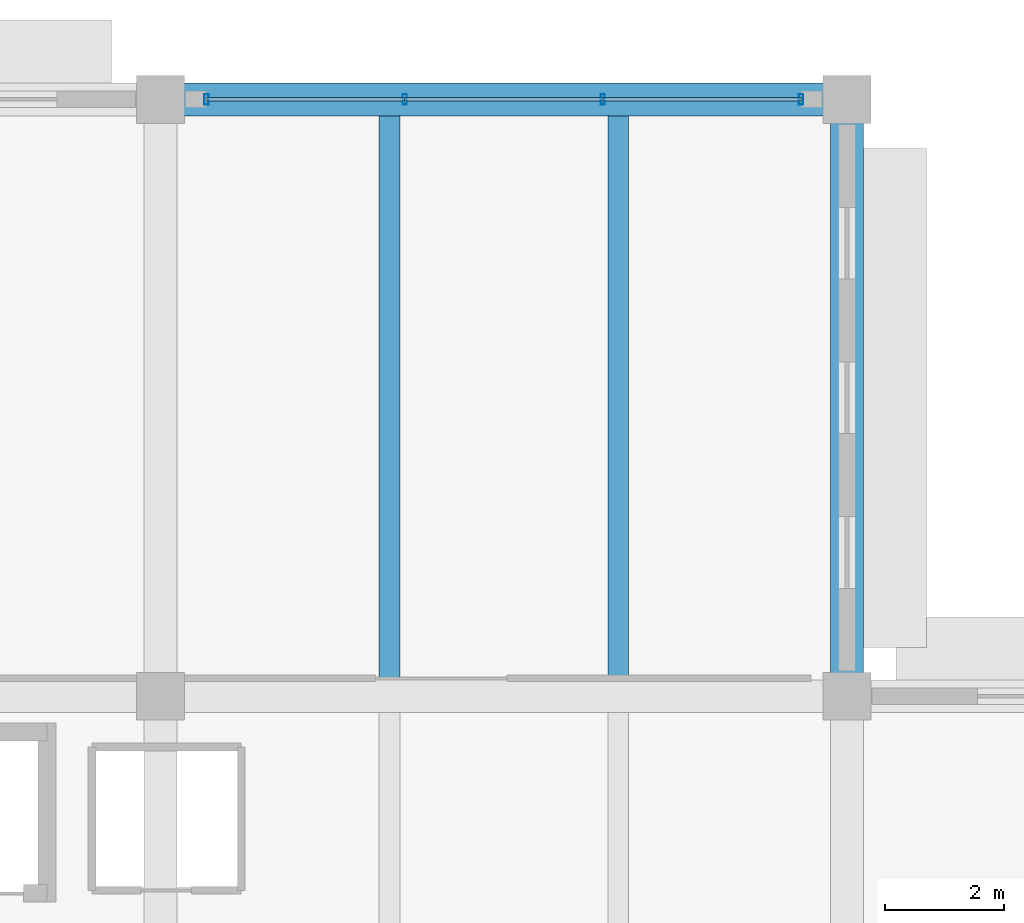
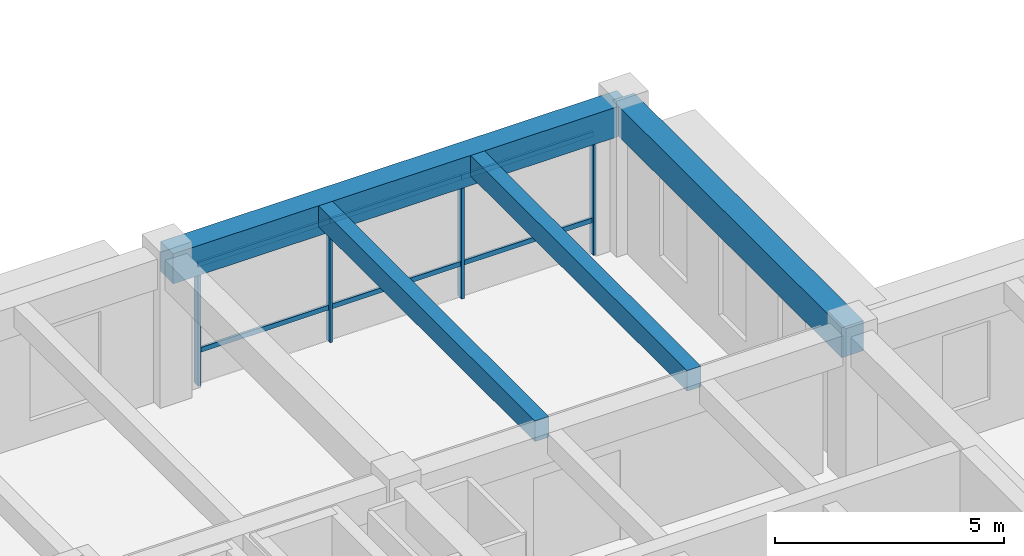
# One storey, part 8 of 33: 10 members, 4 beams, 1 element without a shape of its own.
"""IFC4 building model written with IfcOpenShell, lengths in metres."""

from ifc_helpers import new_model, si_unit, direction, frame, origin, origin_2d, place, context, subcontext, project, spatial, rectangle, hollow_rectangle, extrude, material, material_profile, profile_set, type_object, element, aggregate, save


model = new_model("IFC4")

# Units and contexts
model_context = context("Model", 3, precision=1e-05, world=origin(), true_north=direction((0.0, 1.0)))
body_context = subcontext(model_context, "Body", "Model", "MODEL_VIEW")
ifc_project = project(units=[si_unit("LENGTHUNIT", "METRE"), si_unit("AREAUNIT", "SQUARE_METRE"), si_unit("VOLUMEUNIT", "CUBIC_METRE"), si_unit("PLANEANGLEUNIT", "RADIAN"), si_unit("MASSUNIT", "GRAM", prefix="KILO")], contexts=[model_context])

# Site, building, storey
site_placement = place(None, origin())
site = spatial("IfcSite", under=ifc_project, at=site_placement, CompositionType="ELEMENT")
building_placement = place(site_placement, origin())
building = spatial("IfcBuilding", under=site, at=building_placement, Name="Ologun Quay Terminus", CompositionType="ELEMENT")
storey_placement = place(building_placement, frame((0.0, 0.0, 18.300048828125)))
storey = spatial("IfcBuildingStorey", under=building, at=storey_placement, Name="L04", CompositionType="ELEMENT", Elevation=18.300048828125)

# Beams
ifc_material_1 = material(Name="Concrete C40/50", Category="concrete")
ifc_material_profile_1 = material_profile(ifc_material_1, rectangle(XDim=0.550048828125, YDim=0.800048828125, at=origin_2d()), Name="RC 550x800")
ifc_profile_set_1 = profile_set([ifc_material_profile_1], Name="Concrete C40/50")
beam_type_1 = type_object("IfcBeamType", Name="Courtyard Wing Primary Girder 550x800", PredefinedType="BEAM", material=ifc_profile_set_1)
beam_1_placement = place(storey_placement, frame((34.5, 114.800048828125, 3.5), z_axis=(1.0, 0.0, 0.0), x_axis=(0.0, 1.0, 0.0)))
element("IfcBeam", 1, at=beam_1_placement, inside=storey, type_object=beam_type_1, Name="B4 Beam 4/K L04", PredefinedType="BEAM", context=body_context, shape_type="SweptSolid", body=[
    extrude(rectangle(XDim=0.550048828125, YDim=0.800048828125, at=origin_2d()), origin(), (0.0, 0.0, 1.0), 11.5),
])
beam_2_placement = place(storey_placement, frame((46.0, 104.800048828125, 3.5), z_axis=(0.0, 1.0, 0.0), x_axis=(-1.0, 0.0, 0.0)))
element("IfcBeam", 2, at=beam_2_placement, inside=storey, type_object=beam_type_1, Name="B4 Beam 5/J L04", PredefinedType="BEAM", context=body_context, shape_type="SweptSolid", body=[
    extrude(rectangle(XDim=0.550048828125, YDim=0.800048828125, at=origin_2d()), origin(), (0.0, 0.0, 1.0), 10.0),
])
ifc_material_2 = material(Name="Concrete C40/50", Category="concrete")
ifc_material_profile_2 = material_profile(ifc_material_2, rectangle(XDim=0.35009765625, YDim=0.550048828125, at=origin_2d()), Name="RC 350x550")
ifc_profile_set_2 = profile_set([ifc_material_profile_2], Name="Concrete C40/50")
beam_type_2 = type_object("IfcBeamType", Name="Courtyard Wing Secondary Joist 350x550", PredefinedType="JOIST", material=ifc_profile_set_2)
for number, where, z_axis, x_axis, name in (
    (3, (38.333251953125, 105.074951171875, 3.625), (0.0, 1.0, 0.0), (-1.0, 0.0, 0.0), "J2 Beam 4/J L04"),
    (4, (42.166748046875, 105.074951171875, 3.625), (0.0, 1.0, 0.0), (-1.0, 0.0, 0.0), "J2 Beam 4/J L04"),
):
    element("IfcBeam", number, at=place(storey_placement, frame(where, z_axis=z_axis, x_axis=x_axis)), inside=storey, type_object=beam_type_2, Name=name, PredefinedType="JOIST", context=body_context, shape_type="SweptSolid", body=[
        extrude(rectangle(XDim=0.35009765625, YDim=0.550048828125, at=origin_2d()), origin(), (0.0, 0.0, 1.0), 9.449951171875),
    ])

# Curtain wall, members
ifc_material_3 = material(Name="Aluminium 6063-T6", Category="aluminium")
curtain_wall_type = type_object("IfcCurtainWallType", Name="Waterfront Pavilion Tea Salon Curtain Wall L04 10600x3800", PredefinedType="USERDEFINED", material=ifc_material_3)
curtain_wall_placement = place(storey_placement, origin())
curtain_wall = element("IfcCurtainWall", 5, at=curtain_wall_placement, inside=storey, type_object=curtain_wall_type, Name="CW-26 Curtain Wall CW-L04-117", ObjectType="UNITISED CURTAIN WALL", PredefinedType="USERDEFINED")
ifc_material_4 = material(Name="Aluminium 6063-T6", Category="aluminium")
ifc_material_profile_3 = material_profile(ifc_material_4, hollow_rectangle(XDim=0.070068359375, YDim=0.179931640625, WallThickness=0.0048828125, at=origin_2d()), Name="ALU 180x70x5")
ifc_profile_set_3 = profile_set([ifc_material_profile_3], Name="Aluminium 6063-T6")
member_type_1 = type_object("IfcMemberType", Name="Curtain Wall Heavy Mullion 180x70", PredefinedType="MULLION", material=ifc_profile_set_3)
member_1_placement = place(storey_placement, frame((35.27001953125, 114.800048828125, 0.0), z_axis=(0.0, 0.0, 1.0), x_axis=(1.0, 0.0, 0.0)))
member_1 = element("IfcMember", 6, at=member_1_placement, type_object=member_type_1, Name="CW-L04-117 Mullion 1", PredefinedType="MULLION", context=body_context, shape_type="SweptSolid", body=[
    extrude(hollow_rectangle(XDim=0.070068359375, YDim=0.179931640625, WallThickness=0.0048828125, at=origin_2d()), origin(), (0.0, 0.0, 1.0), 3.889892578125),
])
member_2_placement = place(storey_placement, frame((38.590087890625, 114.800048828125, 0.0), z_axis=(0.0, 0.0, 1.0), x_axis=(1.0, 0.0, 0.0)))
member_2 = element("IfcMember", 7, at=member_2_placement, type_object=member_type_1, Name="CW-L04-117 Mullion 2", PredefinedType="MULLION", context=body_context, shape_type="SweptSolid", body=[
    extrude(hollow_rectangle(XDim=0.070068359375, YDim=0.179931640625, WallThickness=0.0048828125, at=origin_2d()), origin(), (0.0, 0.0, 1.0), 3.889892578125),
])
member_3_placement = place(storey_placement, frame((41.909912109375, 114.800048828125, 0.0), z_axis=(0.0, 0.0, 1.0), x_axis=(1.0, 0.0, 0.0)))
member_3 = element("IfcMember", 8, at=member_3_placement, type_object=member_type_1, Name="CW-L04-117 Mullion 3", PredefinedType="MULLION", context=body_context, shape_type="SweptSolid", body=[
    extrude(hollow_rectangle(XDim=0.070068359375, YDim=0.179931640625, WallThickness=0.0048828125, at=origin_2d()), origin(), (0.0, 0.0, 1.0), 3.889892578125),
])
member_4_placement = place(storey_placement, frame((45.22998046875, 114.800048828125, 0.0), z_axis=(0.0, 0.0, 1.0), x_axis=(1.0, 0.0, 0.0)))
member_4 = element("IfcMember", 9, at=member_4_placement, type_object=member_type_1, Name="CW-L04-117 Mullion 4", PredefinedType="MULLION", context=body_context, shape_type="SweptSolid", body=[
    extrude(hollow_rectangle(XDim=0.070068359375, YDim=0.179931640625, WallThickness=0.0048828125, at=origin_2d()), origin(), (0.0, 0.0, 1.0), 3.889892578125),
])
ifc_material_5 = material(Name="Aluminium 6063-T6", Category="aluminium")
ifc_material_profile_4 = material_profile(ifc_material_5, hollow_rectangle(XDim=0.06005859375, YDim=0.1298828125, WallThickness=0.00390625, at=origin_2d()), Name="ALU 130x60x4")
ifc_profile_set_4 = profile_set([ifc_material_profile_4], Name="Aluminium 6063-T6")
member_type_2 = type_object("IfcMemberType", Name="Curtain Wall Heavy Transom 130x60", PredefinedType="USERDEFINED", material=ifc_profile_set_4)
member_5_placement = place(storey_placement, frame((35.27001953125, 114.800048828125, 0.89990234375), z_axis=(1.0, 0.0, 0.0), x_axis=(0.0, 1.0, 0.0)))
member_5 = element("IfcMember", 10, at=member_5_placement, type_object=member_type_2, Name="CW-L04-117 Transom B1-1", ObjectType="TRANSOM", PredefinedType="USERDEFINED", context=body_context, shape_type="SweptSolid", body=[
    extrude(hollow_rectangle(XDim=0.06005859375, YDim=0.1298828125, WallThickness=0.00390625, at=origin_2d()), origin(), (0.0, 0.0, 1.0), 3.320068359375),
])
member_6_placement = place(storey_placement, frame((35.27001953125, 114.800048828125, 3.18994140625), z_axis=(1.0, 0.0, 0.0), x_axis=(0.0, 1.0, 0.0)))
member_6 = element("IfcMember", 11, at=member_6_placement, type_object=member_type_2, Name="CW-L04-117 Transom B1-2", ObjectType="TRANSOM", PredefinedType="USERDEFINED", context=body_context, shape_type="SweptSolid", body=[
    extrude(hollow_rectangle(XDim=0.06005859375, YDim=0.1298828125, WallThickness=0.00390625, at=origin_2d()), origin(), (0.0, 0.0, 1.0), 3.320068359375),
])
member_7_placement = place(storey_placement, frame((38.590087890625, 114.800048828125, 0.89990234375), z_axis=(1.0, 0.0, 0.0), x_axis=(0.0, 1.0, 0.0)))
member_7 = element("IfcMember", 12, at=member_7_placement, type_object=member_type_2, Name="CW-L04-117 Transom B2-1", ObjectType="TRANSOM", PredefinedType="USERDEFINED", context=body_context, shape_type="SweptSolid", body=[
    extrude(hollow_rectangle(XDim=0.06005859375, YDim=0.1298828125, WallThickness=0.00390625, at=origin_2d()), origin(), (0.0, 0.0, 1.0), 3.31982421875),
])
member_8_placement = place(storey_placement, frame((38.590087890625, 114.800048828125, 3.18994140625), z_axis=(1.0, 0.0, 0.0), x_axis=(0.0, 1.0, 0.0)))
member_8 = element("IfcMember", 13, at=member_8_placement, type_object=member_type_2, Name="CW-L04-117 Transom B2-2", ObjectType="TRANSOM", PredefinedType="USERDEFINED", context=body_context, shape_type="SweptSolid", body=[
    extrude(hollow_rectangle(XDim=0.06005859375, YDim=0.1298828125, WallThickness=0.00390625, at=origin_2d()), origin(), (0.0, 0.0, 1.0), 3.31982421875),
])
member_9_placement = place(storey_placement, frame((41.909912109375, 114.800048828125, 0.89990234375), z_axis=(1.0, 0.0, 0.0), x_axis=(0.0, 1.0, 0.0)))
member_9 = element("IfcMember", 14, at=member_9_placement, type_object=member_type_2, Name="CW-L04-117 Transom B3-1", ObjectType="TRANSOM", PredefinedType="USERDEFINED", context=body_context, shape_type="SweptSolid", body=[
    extrude(hollow_rectangle(XDim=0.06005859375, YDim=0.1298828125, WallThickness=0.00390625, at=origin_2d()), origin(), (0.0, 0.0, 1.0), 3.320068359375),
])
member_10_placement = place(storey_placement, frame((41.909912109375, 114.800048828125, 3.18994140625), z_axis=(1.0, 0.0, 0.0), x_axis=(0.0, 1.0, 0.0)))
member_10 = element("IfcMember", 15, at=member_10_placement, type_object=member_type_2, Name="CW-L04-117 Transom B3-2", ObjectType="TRANSOM", PredefinedType="USERDEFINED", context=body_context, shape_type="SweptSolid", body=[
    extrude(hollow_rectangle(XDim=0.06005859375, YDim=0.1298828125, WallThickness=0.00390625, at=origin_2d()), origin(), (0.0, 0.0, 1.0), 3.320068359375),
])
aggregate(curtain_wall, [member_1, member_2, member_3, member_4, member_5, member_6, member_7, member_8, member_9, member_10])

save(model, "model.ifc")
